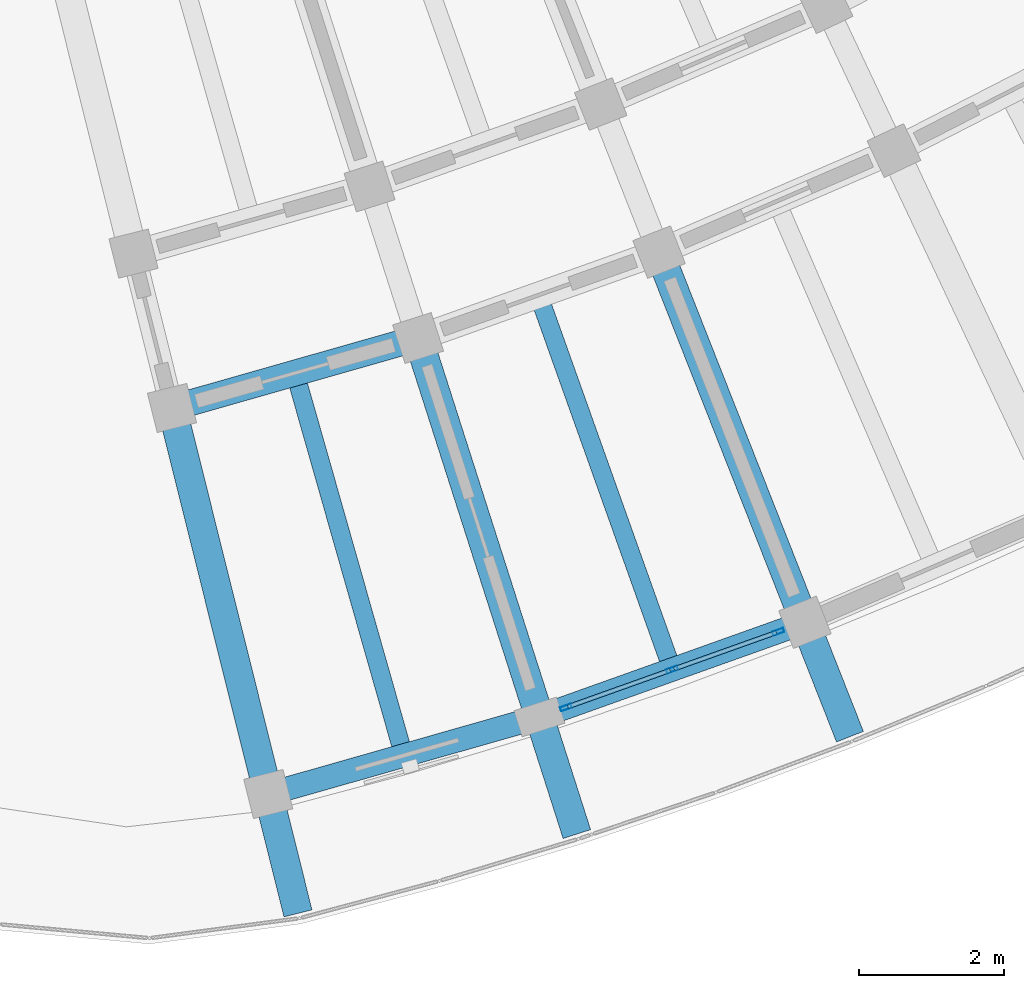
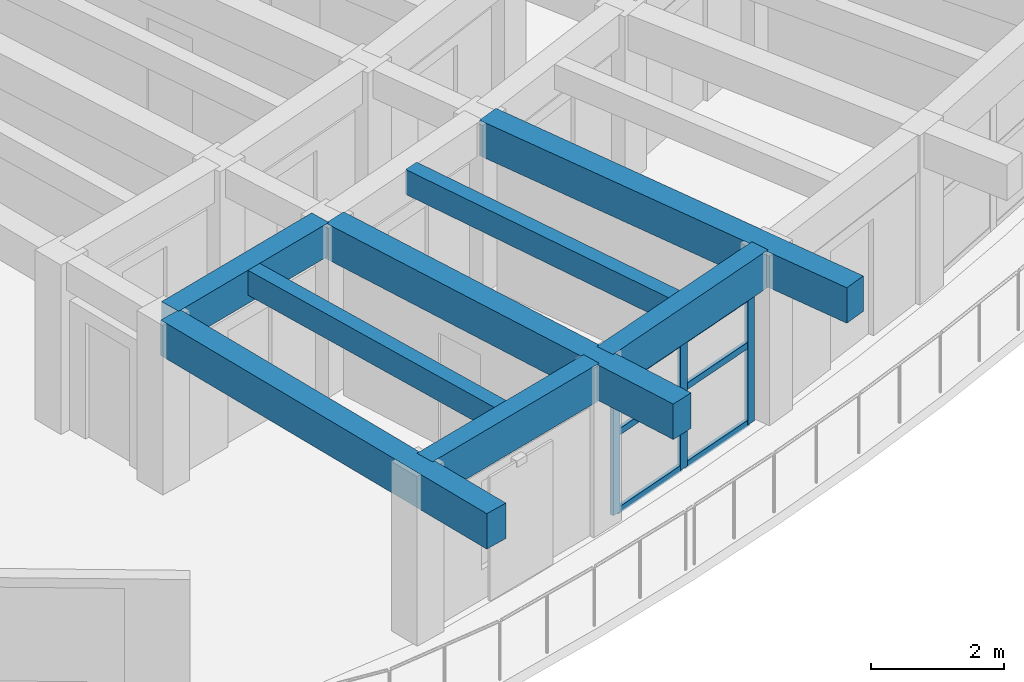
# One storey, part 26 of 96: 9 members, 8 beams, 1 element without a shape of its own.
"""IFC4 building model written with IfcOpenShell, lengths in metres."""

from ifc_helpers import new_model, si_unit, direction, frame, origin, origin_2d, place, context, subcontext, project, spatial, rectangle, hollow_rectangle, extrude, material, material_profile, profile_set, type_object, element, aggregate, save


model = new_model("IFC4")

# Units and contexts
model_context = context("Model", 3, precision=1e-05, world=origin(), true_north=direction((0.0, 1.0)))
body_context = subcontext(model_context, "Body", "Model", "MODEL_VIEW")
ifc_project = project(units=[si_unit("LENGTHUNIT", "METRE"), si_unit("AREAUNIT", "SQUARE_METRE"), si_unit("VOLUMEUNIT", "CUBIC_METRE"), si_unit("PLANEANGLEUNIT", "RADIAN"), si_unit("MASSUNIT", "GRAM", prefix="KILO")], contexts=[model_context])

# Site, building, storey
site_placement = place(None, origin())
site = spatial("IfcSite", under=ifc_project, at=site_placement, CompositionType="ELEMENT")
building_placement = place(site_placement, origin())
building = spatial("IfcBuilding", under=site, at=building_placement, Name="Tanwirah Colonnade Gardens", CompositionType="ELEMENT")
storey_placement = place(building_placement, frame((0.0, 0.0, 12.199951171875)))
storey = spatial("IfcBuildingStorey", under=building, at=storey_placement, Name="L03", CompositionType="ELEMENT", Elevation=12.199951171875)

# Beams
ifc_material_1 = material(Name="Precast concrete C40/50", Category="concrete")
ifc_material_profile_1 = material_profile(ifc_material_1, rectangle(XDim=0.360107421875, YDim=0.610107421875, at=origin_2d()), Name="PC-BM 360x610")
ifc_profile_set_1 = profile_set([ifc_material_profile_1], Name="Precast concrete C40/50")
beam_type_1 = type_object("IfcBeamType", Name="BM-PC300", PredefinedType="BEAM", material=ifc_profile_set_1)
beam_placement = place(storey_placement, frame((134.22021484375, 12.096435546875, 2.800048828125), z_axis=(0.96185623635, 0.273555443366, 0.0), x_axis=(-0.273555443366, 0.96185623635, 0.0)))
element("IfcBeam", 1, at=beam_placement, inside=storey, type_object=beam_type_1, Name="Block D L03 Circumferential Beam 0-R2", PredefinedType="BEAM", context=body_context, shape_type="SweptSolid", body=[
    extrude(rectangle(XDim=0.360107421875, YDim=0.610107421875, at=origin_2d()), origin(), (0.0, 0.0, 1.0), 3.237060546875),
])
ifc_material_2 = material(Name="Precast concrete C45/55", Category="concrete")
ifc_material_profile_2 = material_profile(ifc_material_2, rectangle(XDim=0.39990234375, YDim=0.64990234375, at=origin_2d()), Name="PC-BM 400x650")
ifc_profile_set_2 = profile_set([ifc_material_profile_2], Name="Precast concrete C45/55")
beam_type_2 = type_object("IfcBeamType", Name="BM-PC400", PredefinedType="BEAM", material=ifc_profile_set_2)
for number, where, z_axis, x_axis, name in (
    (2, (134.112060546875, 11.909912109375, 2.780029296875), (0.241924461086, -0.970295086625, 0.0), (0.970295086625, 0.241924461086, 0.0), "Block D L03 Outer Radial Precast Girder 0"),
    (3, (137.523681640625, 12.880126953125, 2.780029296875), (0.304849862001, -0.952400420851, 0.0), (0.952400420851, 0.304849862001, 0.0), "Block D L03 Outer Radial Precast Girder 1"),
    (4, (140.8642578125, 14.0712890625, 2.780029296875), (0.366525426804, -0.930408034953, 0.0), (0.930408034953, 0.366525426804, 0.0), "Block D L03 Outer Radial Precast Girder 2"),
):
    element("IfcBeam", number, at=place(storey_placement, frame(where, z_axis=z_axis, x_axis=x_axis)), inside=storey, type_object=beam_type_2, Name=name, PredefinedType="BEAM", context=body_context, shape_type="SweptSolid", body=[
        extrude(rectangle(XDim=0.39990234375, YDim=0.64990234375, at=origin_2d()), origin(), (0.0, 0.0, 1.0), 7.050048828125),
    ])

# Curtain wall, members
ifc_material_3 = material(Name="Bronze-anodised aluminium and solar-control low-E glass", Category="aluminium")
curtain_wall_type = type_object("IfcCurtainWallType", Name="CW-LOB", PredefinedType="NOTDEFINED", material=ifc_material_3)
curtain_wall_placement = place(storey_placement, origin())
curtain_wall = element("IfcCurtainWall", 5, at=curtain_wall_placement, inside=storey, type_object=curtain_wall_type, Name="Curtain Wall CW-D-L03-OUT-01", PredefinedType="NOTDEFINED")
ifc_material_4 = material(Name="Bronze-anodised aluminium", Category="aluminium")
ifc_material_profile_3 = material_profile(ifc_material_4, hollow_rectangle(XDim=0.06005859375, YDim=0.159912109375, WallThickness=0.00390625, at=origin_2d()), Name="CW-MUL 60x160x4")
ifc_profile_set_3 = profile_set([ifc_material_profile_3], Name="Bronze-anodised aluminium")
member_type_1 = type_object("IfcMemberType", Name="CWM-60x160", PredefinedType="MULLION", material=ifc_profile_set_3)
member_1_placement = place(storey_placement, frame((139.52197265625, 7.915771484375, 0.0), z_axis=(0.0, 0.0, 1.0), x_axis=(-0.335862164333, 0.941911145793, 0.0)))
member_1 = element("IfcMember", 6, at=member_1_placement, type_object=member_type_1, Name="CW-LOB mullion 1", PredefinedType="MULLION", context=body_context, shape_type="SweptSolid", body=[
    extrude(hollow_rectangle(XDim=0.06005859375, YDim=0.159912109375, WallThickness=0.00390625, at=origin_2d()), origin(), (0.0, 0.0, 1.0), 2.35498046875),
])
member_2_placement = place(storey_placement, frame((140.989990234375, 8.439208984375, 0.0), z_axis=(0.0, 0.0, 1.0), x_axis=(-0.335862164333, 0.941911145793, 0.0)))
member_2 = element("IfcMember", 7, at=member_2_placement, type_object=member_type_1, Name="CW-LOB mullion 2", PredefinedType="MULLION", context=body_context, shape_type="SweptSolid", body=[
    extrude(hollow_rectangle(XDim=0.06005859375, YDim=0.159912109375, WallThickness=0.00390625, at=origin_2d()), origin(), (0.0, 0.0, 1.0), 2.35498046875),
])
member_3_placement = place(storey_placement, frame((142.457763671875, 8.962646484375, 0.0), z_axis=(0.0, 0.0, 1.0), x_axis=(-0.335862164333, 0.941911145793, 0.0)))
member_3 = element("IfcMember", 8, at=member_3_placement, type_object=member_type_1, Name="CW-LOB mullion 3", PredefinedType="MULLION", context=body_context, shape_type="SweptSolid", body=[
    extrude(hollow_rectangle(XDim=0.06005859375, YDim=0.159912109375, WallThickness=0.00390625, at=origin_2d()), origin(), (0.0, 0.0, 1.0), 2.35498046875),
])
ifc_material_profile_4 = material_profile(ifc_material_4, hollow_rectangle(XDim=0.06005859375, YDim=0.1201171875, WallThickness=0.00390625, at=origin_2d()), Name="CW-TRN 60x120x4")
ifc_profile_set_4 = profile_set([ifc_material_profile_4], Name="Bronze-anodised aluminium")
member_type_2 = type_object("IfcMemberType", Name="CWT-60x120", PredefinedType="USERDEFINED", material=ifc_profile_set_4)
member_4_placement = place(storey_placement, frame((139.55029296875, 7.92578125, 0.030029296875), z_axis=(0.941878220622, 0.335954487272, 0.0), x_axis=(-0.335954487272, 0.941878220622, 0.0)))
member_4 = element("IfcMember", 9, at=member_4_placement, type_object=member_type_2, Name="CW-LOB transom 1.1", ObjectType="TRANSOM", PredefinedType="USERDEFINED", context=body_context, shape_type="SweptSolid", body=[
    extrude(hollow_rectangle(XDim=0.06005859375, YDim=0.1201171875, WallThickness=0.00390625, at=origin_2d()), origin(), (0.0, 0.0, 1.0), 1.49853515625),
])
member_5_placement = place(storey_placement, frame((139.55029296875, 7.92578125, 1.460205078125), z_axis=(0.941878220622, 0.335954487272, 0.0), x_axis=(-0.335954487272, 0.941878220622, 0.0)))
member_5 = element("IfcMember", 10, at=member_5_placement, type_object=member_type_2, Name="CW-LOB transom 1.2", ObjectType="TRANSOM", PredefinedType="USERDEFINED", context=body_context, shape_type="SweptSolid", body=[
    extrude(hollow_rectangle(XDim=0.06005859375, YDim=0.1201171875, WallThickness=0.00390625, at=origin_2d()), origin(), (0.0, 0.0, 1.0), 1.49853515625),
])
member_6_placement = place(storey_placement, frame((139.55029296875, 7.92578125, 2.324951171875), z_axis=(0.941878220622, 0.335954487272, 0.0), x_axis=(-0.335954487272, 0.941878220622, 0.0)))
member_6 = element("IfcMember", 11, at=member_6_placement, type_object=member_type_2, Name="CW-LOB transom 1.3", ObjectType="TRANSOM", PredefinedType="USERDEFINED", context=body_context, shape_type="SweptSolid", body=[
    extrude(hollow_rectangle(XDim=0.06005859375, YDim=0.1201171875, WallThickness=0.00390625, at=origin_2d()), origin(), (0.0, 0.0, 1.0), 1.49853515625),
])
member_7_placement = place(storey_placement, frame((141.01806640625, 8.44921875, 0.030029296875), z_axis=(0.941878220622, 0.335954487272, 0.0), x_axis=(-0.335954487272, 0.941878220622, 0.0)))
member_7 = element("IfcMember", 12, at=member_7_placement, type_object=member_type_2, Name="CW-LOB transom 2.1", ObjectType="TRANSOM", PredefinedType="USERDEFINED", context=body_context, shape_type="SweptSolid", body=[
    extrude(hollow_rectangle(XDim=0.06005859375, YDim=0.1201171875, WallThickness=0.00390625, at=origin_2d()), origin(), (0.0, 0.0, 1.0), 1.49853515625),
])
member_8_placement = place(storey_placement, frame((141.01806640625, 8.44921875, 1.460205078125), z_axis=(0.941878220622, 0.335954487272, 0.0), x_axis=(-0.335954487272, 0.941878220622, 0.0)))
member_8 = element("IfcMember", 13, at=member_8_placement, type_object=member_type_2, Name="CW-LOB transom 2.2", ObjectType="TRANSOM", PredefinedType="USERDEFINED", context=body_context, shape_type="SweptSolid", body=[
    extrude(hollow_rectangle(XDim=0.06005859375, YDim=0.1201171875, WallThickness=0.00390625, at=origin_2d()), origin(), (0.0, 0.0, 1.0), 1.49853515625),
])
member_9_placement = place(storey_placement, frame((141.01806640625, 8.44921875, 2.324951171875), z_axis=(0.941878220622, 0.335954487272, 0.0), x_axis=(-0.335954487272, 0.941878220622, 0.0)))
member_9 = element("IfcMember", 14, at=member_9_placement, type_object=member_type_2, Name="CW-LOB transom 2.3", ObjectType="TRANSOM", PredefinedType="USERDEFINED", context=body_context, shape_type="SweptSolid", body=[
    extrude(hollow_rectangle(XDim=0.06005859375, YDim=0.1201171875, WallThickness=0.00390625, at=origin_2d()), origin(), (0.0, 0.0, 1.0), 1.49853515625),
])
aggregate(curtain_wall, [member_1, member_2, member_3, member_4, member_5, member_6, member_7, member_8, member_9])

# Beams
ifc_material_profile_5 = material_profile(ifc_material_1, rectangle(XDim=0.2548828125, YDim=0.455078125, at=origin_2d()), Name="PC-JST 255x455")
ifc_profile_set_5 = profile_set([ifc_material_profile_5], Name="Precast concrete C40/50")
beam_type_3 = type_object("IfcBeamType", Name="JST-PC240", PredefinedType="JOIST", material=ifc_profile_set_5)
for number, where, z_axis, x_axis, name in (
    (15, (135.817626953125, 12.39599609375, 2.87744140625), (0.27352550206, -0.961864751263, 0.0), (0.961864751263, 0.27352550206, 0.0), "Block D L03 Precast Floor Joist 0"),
    (16, (139.193603515625, 13.4765625, 2.87744140625), (0.335862957845, -0.941910862846, 0.0), (0.941910862846, 0.335862957845, 0.0), "Block D L03 Precast Floor Joist 1"),
):
    element("IfcBeam", number, at=place(storey_placement, frame(where, z_axis=z_axis, x_axis=x_axis)), inside=storey, type_object=beam_type_3, Name=name, PredefinedType="JOIST", context=body_context, shape_type="SweptSolid", body=[
        extrude(rectangle(XDim=0.2548828125, YDim=0.455078125, at=origin_2d()), origin(), (0.0, 0.0, 1.0), 5.260009765625),
    ])
ifc_material_profile_6 = material_profile(ifc_material_1, rectangle(XDim=0.324951171875, YDim=0.68505859375, at=origin_2d()), Name="PC-SP 325x685")
ifc_profile_set_6 = profile_set([ifc_material_profile_6], Name="Precast concrete C40/50")
beam_type_4 = type_object("IfcBeamType", Name="SP-PC260", PredefinedType="SPANDREL", material=ifc_profile_set_6)
for number, where, z_axis, x_axis, name in (
    (17, (135.55078125, 6.760009765625, 2.762451171875), (0.96186131547, 0.273537583893, 0.0), (-0.273537583893, 0.96186131547, 0.0), "Block D L03 Circumferential Beam 0-R3"),
    (18, (139.2958984375, 7.835205078125, 2.762451171875), (0.941915315404, 0.335850470607, 0.0), (-0.335850470607, 0.941915315404, 0.0), "Block D L03 Circumferential Beam 1-R3"),
):
    element("IfcBeam", number, at=place(storey_placement, frame(where, z_axis=z_axis, x_axis=x_axis)), inside=storey, type_object=beam_type_4, Name=name, PredefinedType="SPANDREL", context=body_context, shape_type="SweptSolid", body=[
        extrude(rectangle(XDim=0.324951171875, YDim=0.68505859375, at=origin_2d()), origin(), (0.0, 0.0, 1.0), 3.596923828125),
    ])

save(model, "model.ifc")
